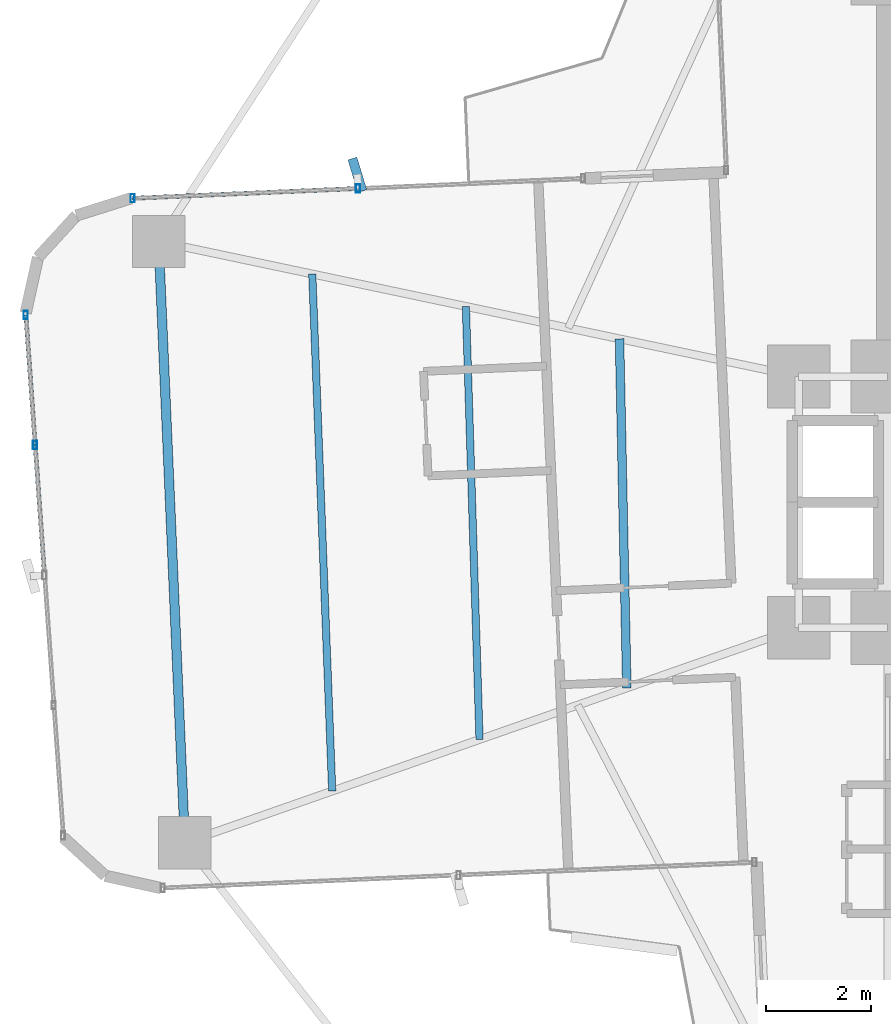
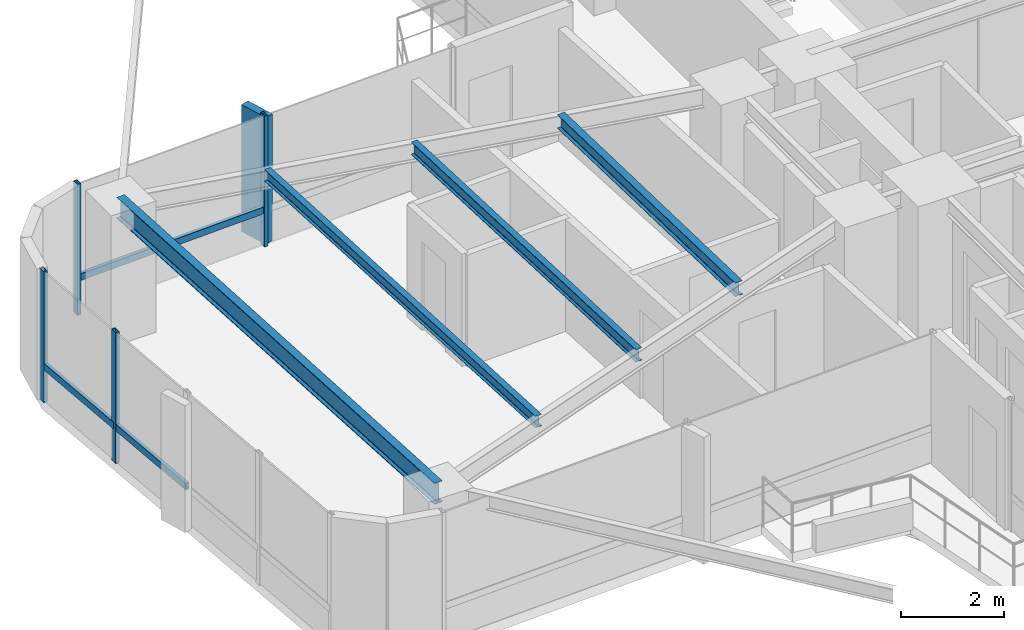
# One storey, part 9 of 26: 8 members, 4 beams, 2 elements without a shape of their own.
"""IFC4 building model written with IfcOpenShell, lengths in metres."""

from ifc_helpers import new_model, si_unit, direction, frame, origin, origin_2d, place, context, subcontext, project, spatial, rectangle, hollow_rectangle, i_section, extrude, source, transform, mapped, material, material_profile, profile_set, type_object, element, aggregate, save


model = new_model("IFC4")

# Units and contexts
model_context = context("Model", 3, precision=1e-05, world=origin(), true_north=direction((0.0, 1.0)))
body_context = subcontext(model_context, "Body", "Model", "MODEL_VIEW")
ifc_project = project(units=[si_unit("LENGTHUNIT", "METRE"), si_unit("AREAUNIT", "SQUARE_METRE"), si_unit("VOLUMEUNIT", "CUBIC_METRE"), si_unit("PLANEANGLEUNIT", "RADIAN"), si_unit("MASSUNIT", "GRAM", prefix="KILO")], contexts=[model_context])

# Site, building, storey
site_placement = place(None, origin())
site = spatial("IfcSite", under=ifc_project, at=site_placement, CompositionType="ELEMENT")
building_placement = place(site_placement, origin())
building = spatial("IfcBuilding", under=site, at=building_placement, Name="Sahyath Konkavel Grand Hotel", CompositionType="ELEMENT")
storey_placement = place(building_placement, frame((0.0, 0.0, 121.5)))
storey = spatial("IfcBuildingStorey", under=building, at=storey_placement, Name="L33", CompositionType="ELEMENT", Elevation=121.5)

# Beams
ifc_material_1 = material(Name="Steel E350", Category="steel")
ifc_material_profile_1 = material_profile(ifc_material_1, i_section(OverallWidth=0.179931640625, OverallDepth=0.5, WebThickness=0.01025390625, FlangeThickness=0.01708984375, FilletRadius=0.01708984375, at=origin_2d()), Name="ISMB 500")
ifc_profile_set_1 = profile_set([ifc_material_profile_1], Name="Steel E350")
beam_type_1 = type_object("IfcBeamType", Name="BM-ISMB500", PredefinedType="BEAM", material=ifc_profile_set_1)
shared_shape_1 = source(origin(), body_context, "Body", "SweptSolid", [
    extrude(i_section(OverallWidth=0.179931640625, OverallDepth=0.5, WebThickness=0.01025390625, FlangeThickness=0.01708984375, FilletRadius=0.01708984375, at=origin_2d()), origin(), (0.0, 0.0, 1.0), 11.5),
])
beam_1_placement = place(storey_placement, frame((-17.734130859375, 4.981201171875, 2.860107421875), z_axis=(0.043627008892, -0.99904788879, 0.0), x_axis=(0.99904788879, 0.043627008892, 0.0)))
element("IfcBeam", 1, at=beam_1_placement, inside=storey, type_object=beam_type_1, Name="L33 Wing Tip Edge Beam W", PredefinedType="BEAM", context=body_context, shape_type="MappedRepresentation", body=[
    mapped(shared_shape_1, transform((0.0, 0.0, 0.0), scale=1.0)),
])
ifc_material_profile_2 = material_profile(ifc_material_1, i_section(OverallWidth=0.1650390625, OverallDepth=0.324951171875, WebThickness=0.007080078125, FlangeThickness=0.009765625, FilletRadius=0.014892578125, at=origin_2d()), Name="ISLB 325")
ifc_profile_set_2 = profile_set([ifc_material_profile_2], Name="Steel E350")
beam_type_2 = type_object("IfcBeamType", Name="BM-ISLB325", PredefinedType="BEAM", material=ifc_profile_set_2)
shared_shape_2 = source(origin(), body_context, "Body", "SweptSolid", [
    extrude(i_section(OverallWidth=0.1650390625, OverallDepth=0.324951171875, WebThickness=0.007080078125, FlangeThickness=0.009765625, FilletRadius=0.014892578125, at=origin_2d()), origin(), (0.0, 0.0, 1.0), 6.674560546875),
])
beam_2_placement = place(storey_placement, frame((-8.925537109375, 3.122802734375, 2.947509765625), z_axis=(0.021032188543, -0.999778799058, 0.0), x_axis=(0.999778799058, 0.021032188543, 0.0)))
element("IfcBeam", 2, at=beam_2_placement, inside=storey, type_object=beam_type_2, Name="L33 Secondary Floor Beam W-1", PredefinedType="BEAM", context=body_context, shape_type="MappedRepresentation", body=[
    mapped(shared_shape_2, transform((0.0, 0.0, 0.0), scale=1.0)),
])
ifc_material_profile_3 = material_profile(ifc_material_1, i_section(OverallWidth=0.139892578125, OverallDepth=0.300048828125, WebThickness=0.0078125, FlangeThickness=0.01318359375, FilletRadius=0.013916015625, at=origin_2d()), Name="ISMB 300")
ifc_profile_set_3 = profile_set([ifc_material_profile_3], Name="Steel E350")
beam_type_3 = type_object("IfcBeamType", Name="BM-ISMB300", PredefinedType="BEAM", material=ifc_profile_set_3)
shared_shape_3 = source(origin(), body_context, "Body", "SweptSolid", [
    extrude(i_section(OverallWidth=0.139892578125, OverallDepth=0.300048828125, WebThickness=0.0078125, FlangeThickness=0.01318359375, FilletRadius=0.013916015625, at=origin_2d()), origin(), (0.0, 0.0, 1.0), 8.282470703125),
])
beam_3_placement = place(storey_placement, frame((-11.86181640625, 3.7421875, 2.9599609375), z_axis=(0.031510827707, -0.999503410568, 0.0), x_axis=(0.999503410568, 0.031510827707, 0.0)))
element("IfcBeam", 3, at=beam_3_placement, inside=storey, type_object=beam_type_3, Name="L33 Secondary Floor Beam W-2", PredefinedType="BEAM", context=body_context, shape_type="MappedRepresentation", body=[
    mapped(shared_shape_3, transform((0.0, 0.0, 0.0), scale=1.0)),
])
ifc_material_profile_4 = material_profile(ifc_material_1, i_section(OverallWidth=0.139892578125, OverallDepth=0.27490234375, WebThickness=0.00634765625, FlangeThickness=0.0087890625, FilletRadius=0.012939453125, at=origin_2d()), Name="ISLB 275")
ifc_profile_set_4 = profile_set([ifc_material_profile_4], Name="Steel E350")
beam_type_4 = type_object("IfcBeamType", Name="BM-ISLB275", PredefinedType="BEAM", material=ifc_profile_set_4)
shared_shape_4 = source(origin(), body_context, "Body", "SweptSolid", [
    extrude(i_section(OverallWidth=0.139892578125, OverallDepth=0.27490234375, WebThickness=0.00634765625, FlangeThickness=0.0087890625, FilletRadius=0.012939453125, at=origin_2d()), origin(), (0.0, 0.0, 1.0), 9.89111328125),
])
beam_4_placement = place(storey_placement, frame((-14.798095703125, 4.36181640625, 2.972412109375), z_axis=(0.03855445741, -0.999256500511, 0.0), x_axis=(0.999256500511, 0.03855445741, 0.0)))
element("IfcBeam", 4, at=beam_4_placement, inside=storey, type_object=beam_type_4, Name="L33 Secondary Floor Beam W-3", PredefinedType="BEAM", context=body_context, shape_type="MappedRepresentation", body=[
    mapped(shared_shape_4, transform((0.0, 0.0, 0.0), scale=1.0)),
])

# Curtain wall, members
ifc_material_2 = material(Name="Anodised Bronze Aluminium & Low-E Glazing", Category="aluminium")
curtain_wall_type = type_object("IfcCurtainWallType", Name="CW-ZONE2", PredefinedType="NOTDEFINED", material=ifc_material_2)
curtain_wall_1_placement = place(storey_placement, origin())
curtain_wall_1 = element("IfcCurtainWall", 5, at=curtain_wall_1_placement, inside=storey, type_object=curtain_wall_type, Name="L33 Unitised Curtain Wall F16", PredefinedType="NOTDEFINED")
ifc_material_3 = material(Name="Warm Buff Sandstone Cladding on Concrete C50/60", Category="masonry")
ifc_material_profile_5 = material_profile(ifc_material_3, rectangle(XDim=0.179931640625, YDim=0.64990234375, at=origin_2d()), Name="FIN 180x650")
ifc_profile_set_5 = profile_set([ifc_material_profile_5], Name="Warm Buff Sandstone Cladding on Concrete C50/60")
member_type_1 = type_object("IfcMemberType", Name="FIN-SANDSTONE-650", PredefinedType="MULLION", material=ifc_profile_set_5)
shared_shape_5 = source(origin(), body_context, "Body", "SweptSolid", [
    extrude(rectangle(XDim=0.179931640625, YDim=0.64990234375, at=origin_2d()), origin(), (0.0, 0.0, 1.0), 3.010009765625),
])
member_1_placement = place(storey_placement, frame((-13.936279296875, 6.258056640625, 0.050048828125), z_axis=(0.0, 0.0, 1.0), x_axis=(0.956610402488, 0.291370104596, 0.0)))
member_1 = element("IfcMember", 6, at=member_1_placement, type_object=member_type_1, Name="L33 Sandstone Vertical Solar Fin FIN F16-1", PredefinedType="MULLION", context=body_context, shape_type="MappedRepresentation", body=[
    mapped(shared_shape_5, transform((0.0, 0.0, 0.0), scale=1.0)),
])
ifc_material_4 = material(Name="Anodised Bronze Aluminium", Category="aluminium")
ifc_material_profile_6 = material_profile(ifc_material_4, hollow_rectangle(XDim=0.080078125, YDim=0.159912109375, WallThickness=0.006103515625, at=origin_2d()), Name="RHS 160x80x6")
ifc_profile_set_6 = profile_set([ifc_material_profile_6], Name="Anodised Bronze Aluminium")
member_type_2 = type_object("IfcMemberType", Name="CW-MUL-160", PredefinedType="MULLION", material=ifc_profile_set_6)
shared_shape_6 = source(origin(), body_context, "Body", "SweptSolid", [
    extrude(hollow_rectangle(XDim=0.080078125, YDim=0.159912109375, WallThickness=0.006103515625, at=origin_2d()), origin(), (0.0, 0.0, 1.0), 3.110107421875),
])
member_2_placement = place(storey_placement, frame((-13.9248046875, 5.998291015625, 0.0), z_axis=(0.0, 0.0, 1.0), x_axis=(1.0, 0.0, 0.0)))
member_2 = element("IfcMember", 7, at=member_2_placement, type_object=member_type_2, Name="L33 Curtain Wall Mullion F16-1", PredefinedType="MULLION", context=body_context, shape_type="MappedRepresentation", body=[
    mapped(shared_shape_6, transform((0.0, 0.0, 0.0), scale=1.0)),
])
member_3_placement = place(storey_placement, frame((-18.230712890625, 5.810302734375, 0.0), z_axis=(0.0, 0.0, 1.0), x_axis=(1.0, 0.0, 0.0)))
member_3 = element("IfcMember", 8, at=member_3_placement, type_object=member_type_2, Name="L33 Curtain Wall Mullion F16-2", PredefinedType="MULLION", context=body_context, shape_type="MappedRepresentation", body=[
    mapped(shared_shape_6, transform((0.0, 0.0, 0.0), scale=1.0)),
])

curtain_wall_2_placement = place(storey_placement, origin())
curtain_wall_2 = element("IfcCurtainWall", 9, at=curtain_wall_2_placement, inside=storey, type_object=curtain_wall_type, Name="L33 Unitised Curtain Wall F20", PredefinedType="NOTDEFINED")
member_4_placement = place(storey_placement, frame((-20.2744140625, 3.5791015625, 0.0), z_axis=(0.0, 0.0, 1.0), x_axis=(1.0, 0.0, 0.0)))
member_4 = element("IfcMember", 10, at=member_4_placement, type_object=member_type_2, Name="L33 Curtain Wall Mullion F20-0", PredefinedType="MULLION", context=body_context, shape_type="MappedRepresentation", body=[
    mapped(shared_shape_6, transform((0.0, 0.0, 0.0), scale=1.0)),
])
member_5_placement = place(storey_placement, frame((-20.095947265625, 1.092041015625, 0.0), z_axis=(0.0, 0.0, 1.0), x_axis=(1.0, 0.0, 0.0)))
member_5 = element("IfcMember", 11, at=member_5_placement, type_object=member_type_2, Name="L33 Curtain Wall Mullion F20-1", PredefinedType="MULLION", context=body_context, shape_type="MappedRepresentation", body=[
    mapped(shared_shape_6, transform((0.0, 0.0, 0.0), scale=1.0)),
])

# Member
ifc_material_profile_7 = material_profile(ifc_material_4, hollow_rectangle(XDim=0.080078125, YDim=0.159912109375, WallThickness=0.006103515625, at=origin_2d()), Name="RHS 160x80x6")
ifc_profile_set_7 = profile_set([ifc_material_profile_7], Name="Anodised Bronze Aluminium")
member_type_3 = type_object("IfcMemberType", Name="CW-TRN-160", PredefinedType="USERDEFINED", material=ifc_profile_set_7)
shared_shape_7 = source(origin(), body_context, "Body", "SweptSolid", [
    extrude(hollow_rectangle(XDim=0.080078125, YDim=0.159912109375, WallThickness=0.006103515625, at=origin_2d()), origin(), (0.0, 0.0, 1.0), 4.31005859375),
])
member_6_placement = place(storey_placement, frame((-13.9248046875, 5.998291015625, 0.85009765625), z_axis=(-0.999048340188, -0.043616670746, 0.0), x_axis=(0.043616670746, -0.999048340188, 0.0)))
member_6 = element("IfcMember", 12, at=member_6_placement, type_object=member_type_3, Name="L33 Curtain Wall Transom F16-1-spandrel", ObjectType="TRANSOM", PredefinedType="USERDEFINED", context=body_context, shape_type="MappedRepresentation", body=[
    mapped(shared_shape_7, transform((0.0, 0.0, 0.0), scale=1.0)),
])

aggregate(curtain_wall_1, [member_2, member_1, member_3, member_6])

shared_shape_8 = source(origin(), body_context, "Body", "SweptSolid", [
    extrude(hollow_rectangle(XDim=0.080078125, YDim=0.159912109375, WallThickness=0.006103515625, at=origin_2d()), origin(), (0.0, 0.0, 1.0), 2.493408203125),
])
member_7_placement = place(storey_placement, frame((-20.2744140625, 3.5791015625, 0.85009765625), z_axis=(0.071574084062, -0.997435286367, 0.0), x_axis=(0.997435286367, 0.071574084062, 0.0)))
member_7 = element("IfcMember", 13, at=member_7_placement, type_object=member_type_3, Name="L33 Curtain Wall Transom F20-0-spandrel", ObjectType="TRANSOM", PredefinedType="USERDEFINED", context=body_context, shape_type="MappedRepresentation", body=[
    mapped(shared_shape_8, transform((0.0, 0.0, 0.0), scale=1.0)),
])

member_8_placement = place(storey_placement, frame((-20.095947265625, 1.092041015625, 0.85009765625), z_axis=(0.071574084062, -0.997435286367, 0.0), x_axis=(0.997435286367, 0.071574084062, 0.0)))
member_8 = element("IfcMember", 14, at=member_8_placement, type_object=member_type_3, Name="L33 Curtain Wall Transom F20-1-spandrel", ObjectType="TRANSOM", PredefinedType="USERDEFINED", context=body_context, shape_type="MappedRepresentation", body=[
    mapped(shared_shape_8, transform((0.0, 0.0, 0.0), scale=1.0)),
])

aggregate(curtain_wall_2, [member_4, member_5, member_7, member_8])

save(model, "model.ifc")
